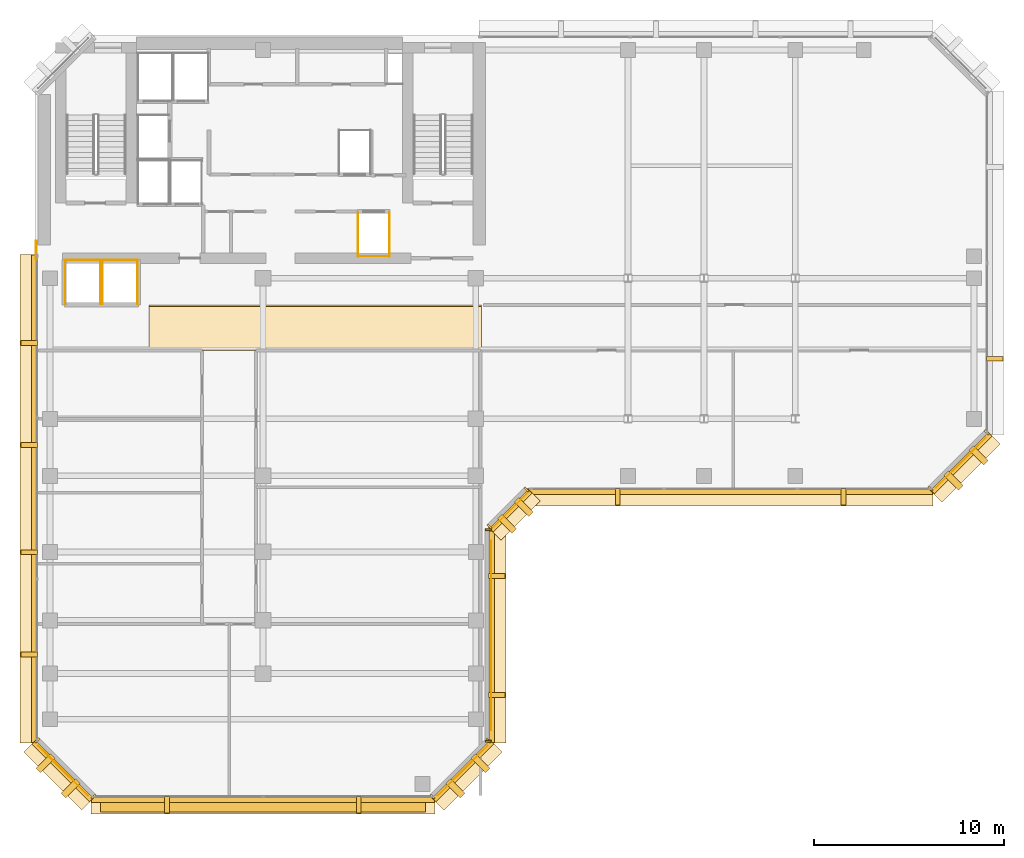
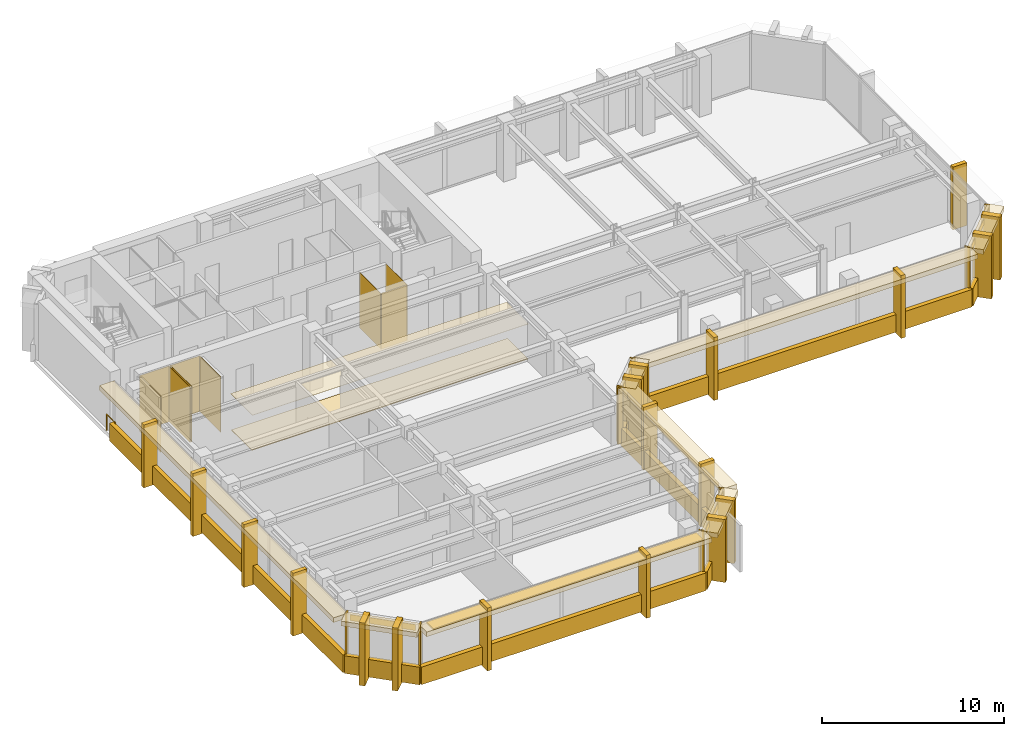
# One storey, part 9 of 12: 61 coverings, 1 railing, 1 shading device.
"""IFC4 building model written with IfcOpenShell, lengths in metres."""

from ifc_helpers import new_model, si_unit, direction, frame, origin, origin_2d, place, context, subcontext, project, spatial, polyline, rectangle, circle, outline, extrude, material, layer, layer_set, type_object, element, save


model = new_model("IFC4")

# Units and contexts
model_context = context("Model", 3, precision=1e-05, world=origin(), true_north=direction((0.0, 1.0)))
body_context = subcontext(model_context, "Body", "Model", "MODEL_VIEW")
ifc_project = project(units=[si_unit("LENGTHUNIT", "METRE"), si_unit("AREAUNIT", "SQUARE_METRE"), si_unit("VOLUMEUNIT", "CUBIC_METRE"), si_unit("PLANEANGLEUNIT", "RADIAN"), si_unit("MASSUNIT", "GRAM", prefix="KILO")], contexts=[model_context])

# Site, building, storey
site_placement = place(None, origin())
site = spatial("IfcSite", under=ifc_project, at=site_placement, CompositionType="ELEMENT")
building_placement = place(site_placement, origin())
building = spatial("IfcBuilding", under=site, at=building_placement, Name="Kefirva Bronze Tower", CompositionType="ELEMENT")
storey_placement = place(building_placement, frame((0.0, 0.0, 268.2900390625)))
storey = spatial("IfcBuildingStorey", under=building, at=storey_placement, Name="L65", CompositionType="ELEMENT", Elevation=268.2900390625)

# Coverings
ifc_material_1 = material(Name="Acoustic mineral tile")
ifc_layer_1 = layer(ifc_material_1, 0.02490234375, Name="Acoustic mineral tile")
ifc_layer_set_1 = layer_set([ifc_layer_1], Name="Acoustic mineral tile")
covering_type_1 = type_object("IfcCoveringType", Name="Acoustic Mineral Suspended Ceiling 25mm", PredefinedType="CEILING", material=ifc_layer_set_1)
covering_1_placement = place(storey_placement, frame((0.0, 0.0, 2.39990234375)))
element("IfcCovering", 1, at=covering_1_placement, inside=storey, type_object=covering_type_1, Name="L65 Corridor Acoustic Ceiling", PredefinedType="CEILING", context=body_context, shape_type="SweptSolid", body=[
    extrude(outline(polyline([(6.0, 29.39990234375), (23.5, 29.39990234375), (23.5, 31.800048828125), (6.0, 31.800048828125), (6.0, 29.39990234375)])), origin(), (0.0, 0.0, 1.0), 0.025146484375),
])
ifc_material_2 = material(Name="Bronze anodised aluminium", Category="aluminium")
ifc_layer_2 = layer(ifc_material_2, 0.02001953125, Name="Bronze anodised aluminium")
ifc_layer_set_2 = layer_set([ifc_layer_2], Name="Bronze anodised aluminium")
covering_type_2 = type_object("IfcCoveringType", Name="Anodised Bronze Spandrel Cladding 20mm", PredefinedType="CLADDING", material=ifc_layer_set_2)
covering_2_placement = place(storey_placement, frame((12.0, 5.760009765625, -0.16015625), z_axis=(0.0, 0.0, 1.0), x_axis=(1.0, 0.0, 0.0)))
element("IfcCovering", 2, at=covering_2_placement, inside=storey, type_object=covering_type_2, Name="L65 Streamline Horizontal Spandrel Band 0", PredefinedType="CLADDING", context=body_context, shape_type="SweptSolid", body=[
    extrude(rectangle(XDim=18.0400390625, YDim=0.280029296875, at=origin_2d()), origin(), (0.0, 0.0, 1.0), 1.179931640625),
])
covering_3_placement = place(storey_placement, frame((22.507080078125, 7.29296875, 3.320068359375), z_axis=(0.0, 0.0, 1.0), x_axis=(0.707106781187, 0.707106781187, 0.0)))
element("IfcCovering", 3, at=covering_3_placement, inside=storey, type_object=covering_type_2, Name="L65 Bronze Spandrel Cladding 1", PredefinedType="CLADDING", context=body_context, shape_type="SweptSolid", body=[
    extrude(rectangle(XDim=3.719482421875, YDim=0.02001953125, at=origin_2d()), origin(), (0.0, 0.0, 1.0), 0.39990234375),
])
for number, where, z_axis, x_axis, name in (
    (4, (20.91162109375, 5.93798828125, 0.0), (0.0, 0.0, 1.0), (0.707106781187, 0.707106781187, 0.0), "L65 Facade Joint Closure Panel 1S"),
    (5, (23.862060546875, 8.88818359375, 0.0), (0.0, 0.0, 1.0), (0.707106781187, 0.707106781187, 0.0), "L65 Facade Joint Closure Panel 1E"),
):
    element("IfcCovering", number, at=place(storey_placement, frame(where, z_axis=z_axis, x_axis=x_axis)), inside=storey, type_object=covering_type_2, Name=name, PredefinedType="CLADDING", context=body_context, shape_type="SweptSolid", body=[
        extrude(rectangle(XDim=0.10009765625, YDim=0.320068359375, at=origin_2d()), origin(), (0.0, 0.0, 1.0), 3.739990234375),
    ])
covering_4_placement = place(storey_placement, frame((22.5283203125, 7.271728515625, -0.16015625), z_axis=(0.0, 0.0, 1.0), x_axis=(0.707106781187, 0.707106781187, 0.0)))
element("IfcCovering", 6, at=covering_4_placement, inside=storey, type_object=covering_type_2, Name="L65 Streamline Horizontal Spandrel Band 1", PredefinedType="CLADDING", context=body_context, shape_type="SweptSolid", body=[
    extrude(rectangle(XDim=4.28271484375, YDim=0.280029296875, at=origin_2d()), origin(), (0.0, 0.0, 1.0), 1.179931640625),
])
covering_5_placement = place(storey_placement, frame((24.010009765625, 14.39990234375, 3.320068359375), z_axis=(0.0, 0.0, 1.0), x_axis=(0.0, 1.0, 0.0)))
element("IfcCovering", 7, at=covering_5_placement, inside=storey, type_object=covering_type_2, Name="L65 Bronze Spandrel Cladding 2", PredefinedType="CLADDING", context=body_context, shape_type="SweptSolid", body=[
    extrude(rectangle(XDim=9.98095703125, YDim=0.02001953125, at=origin_2d()), origin(), (0.0, 0.0, 1.0), 0.39990234375),
])
for number, where, z_axis, x_axis, name in (
    (8, (23.840087890625, 8.8349609375, 0.0), (0.0, 0.0, 1.0), (0.0, 1.0, 0.0), "L65 Facade Joint Closure Panel 2S"),
    (9, (23.840087890625, 19.965087890625, 0.0), (0.0, 0.0, 1.0), (0.0, 1.0, 0.0), "L65 Facade Joint Closure Panel 2E"),
):
    element("IfcCovering", number, at=place(storey_placement, frame(where, z_axis=z_axis, x_axis=x_axis)), inside=storey, type_object=covering_type_2, Name=name, PredefinedType="CLADDING", context=body_context, shape_type="SweptSolid", body=[
        extrude(rectangle(XDim=0.10009765625, YDim=0.320068359375, at=origin_2d()), origin(), (0.0, 0.0, 1.0), 3.739990234375),
    ])
covering_6_placement = place(storey_placement, frame((24.0400390625, 14.39990234375, -0.16015625), z_axis=(0.0, 0.0, 1.0), x_axis=(0.0, 1.0, 0.0)))
element("IfcCovering", 10, at=covering_6_placement, inside=storey, type_object=covering_type_2, Name="L65 Streamline Horizontal Spandrel Band 2", PredefinedType="CLADDING", context=body_context, shape_type="SweptSolid", body=[
    extrude(rectangle(XDim=11.239990234375, YDim=0.280029296875, at=origin_2d()), origin(), (0.0, 0.0, 1.0), 1.179931640625),
])
covering_7_placement = place(storey_placement, frame((25.007080078125, 20.992919921875, 3.320068359375), z_axis=(0.0, 0.0, 1.0), x_axis=(0.707106781187, 0.707106781187, 0.0)))
element("IfcCovering", 11, at=covering_7_placement, inside=storey, type_object=covering_type_2, Name="L65 Bronze Spandrel Cladding 3", PredefinedType="CLADDING", context=body_context, shape_type="SweptSolid", body=[
    extrude(rectangle(XDim=2.446533203125, YDim=0.02001953125, at=origin_2d()), origin(), (0.0, 0.0, 1.0), 0.39990234375),
])
for number, where, z_axis, x_axis, name in (
    (12, (23.91162109375, 20.137939453125, 0.0), (0.0, 0.0, 1.0), (0.707106781187, 0.707106781187, 0.0), "L65 Facade Joint Closure Panel 3S"),
    (13, (25.862060546875, 22.08837890625, 0.0), (0.0, 0.0, 1.0), (0.707106781187, 0.707106781187, 0.0), "L65 Facade Joint Closure Panel 3E"),
):
    element("IfcCovering", number, at=place(storey_placement, frame(where, z_axis=z_axis, x_axis=x_axis)), inside=storey, type_object=covering_type_2, Name=name, PredefinedType="CLADDING", context=body_context, shape_type="SweptSolid", body=[
        extrude(rectangle(XDim=0.10009765625, YDim=0.320068359375, at=origin_2d()), origin(), (0.0, 0.0, 1.0), 3.739990234375),
    ])
covering_8_placement = place(storey_placement, frame((25.0283203125, 20.9716796875, -0.16015625), z_axis=(0.0, 0.0, 1.0), x_axis=(0.707106781187, 0.707106781187, 0.0)))
element("IfcCovering", 14, at=covering_8_placement, inside=storey, type_object=covering_type_2, Name="L65 Streamline Horizontal Spandrel Band 3", PredefinedType="CLADDING", context=body_context, shape_type="SweptSolid", body=[
    extrude(rectangle(XDim=2.868408203125, YDim=0.280029296875, at=origin_2d()), origin(), (0.0, 0.0, 1.0), 1.179931640625),
])
covering_9_placement = place(storey_placement, frame((36.60009765625, 21.9599609375, -0.16015625), z_axis=(0.0, 0.0, 1.0), x_axis=(1.0, 0.0, 0.0)))
element("IfcCovering", 15, at=covering_9_placement, inside=storey, type_object=covering_type_2, Name="L65 Streamline Horizontal Spandrel Band 4", PredefinedType="CLADDING", context=body_context, shape_type="SweptSolid", body=[
    extrude(rectangle(XDim=21.239990234375, YDim=0.280029296875, at=origin_2d()), origin(), (0.0, 0.0, 1.0), 1.179931640625),
])
covering_10_placement = place(storey_placement, frame((48.70703125, 23.492919921875, 3.320068359375), z_axis=(0.0, 0.0, 1.0), x_axis=(0.707106781187, 0.707106781187, 0.0)))
element("IfcCovering", 16, at=covering_10_placement, inside=storey, type_object=covering_type_2, Name="L65 Bronze Spandrel Cladding 4", PredefinedType="CLADDING", context=body_context, shape_type="SweptSolid", body=[
    extrude(rectangle(XDim=3.719482421875, YDim=0.02001953125, at=origin_2d()), origin(), (0.0, 0.0, 1.0), 0.39990234375),
])
for number, where, z_axis, x_axis, name in (
    (17, (47.11181640625, 22.137939453125, 0.0), (0.0, 0.0, 1.0), (0.707106781187, 0.707106781187, 0.0), "L65 Facade Joint Closure Panel 4S"),
    (18, (50.06201171875, 25.08837890625, 0.0), (0.0, 0.0, 1.0), (0.707106781187, 0.707106781187, 0.0), "L65 Facade Joint Closure Panel 4E"),
):
    element("IfcCovering", number, at=place(storey_placement, frame(where, z_axis=z_axis, x_axis=x_axis)), inside=storey, type_object=covering_type_2, Name=name, PredefinedType="CLADDING", context=body_context, shape_type="SweptSolid", body=[
        extrude(rectangle(XDim=0.10009765625, YDim=0.320068359375, at=origin_2d()), origin(), (0.0, 0.0, 1.0), 3.739990234375),
    ])
covering_11_placement = place(storey_placement, frame((48.728271484375, 23.4716796875, -0.16015625), z_axis=(0.0, 0.0, 1.0), x_axis=(0.707106781187, 0.707106781187, 0.0)))
element("IfcCovering", 19, at=covering_11_placement, inside=storey, type_object=covering_type_2, Name="L65 Streamline Horizontal Spandrel Band 5", PredefinedType="CLADDING", context=body_context, shape_type="SweptSolid", body=[
    extrude(rectangle(XDim=4.28271484375, YDim=0.280029296875, at=origin_2d()), origin(), (0.0, 0.0, 1.0), 1.179931640625),
])
covering_12_placement = place(storey_placement, frame((-0.0400390625, 21.597412109375, -0.16015625), z_axis=(0.0, 0.0, 1.0), x_axis=(0.0, -1.0, 0.0)))
element("IfcCovering", 20, at=covering_12_placement, inside=storey, type_object=covering_type_2, Name="L65 Streamline Horizontal Spandrel Band 10", PredefinedType="CLADDING", context=body_context, shape_type="SweptSolid", body=[
    extrude(rectangle(XDim=25.635009765625, YDim=0.280029296875, at=origin_2d()), origin(), (0.0, 0.0, 1.0), 1.179931640625),
])
covering_13_placement = place(storey_placement, frame((1.492919921875, 7.29296875, 3.320068359375), z_axis=(0.0, 0.0, 1.0), x_axis=(0.707106781187, -0.707106781187, 0.0)))
element("IfcCovering", 21, at=covering_13_placement, inside=storey, type_object=covering_type_2, Name="L65 Bronze Spandrel Cladding 7", PredefinedType="CLADDING", context=body_context, shape_type="SweptSolid", body=[
    extrude(rectangle(XDim=3.719482421875, YDim=0.02001953125, at=origin_2d()), origin(), (0.0, 0.0, 1.0), 0.39990234375),
])
for number, where, z_axis, x_axis, name in (
    (22, (0.137939453125, 8.88818359375, 0.0), (0.0, 0.0, 1.0), (0.707106781187, -0.707106781187, 0.0), "L65 Facade Joint Closure Panel 7S"),
    (23, (3.08837890625, 5.93798828125, 0.0), (0.0, 0.0, 1.0), (0.707106781187, -0.707106781187, 0.0), "L65 Facade Joint Closure Panel 7E"),
):
    element("IfcCovering", number, at=place(storey_placement, frame(where, z_axis=z_axis, x_axis=x_axis)), inside=storey, type_object=covering_type_2, Name=name, PredefinedType="CLADDING", context=body_context, shape_type="SweptSolid", body=[
        extrude(rectangle(XDim=0.10009765625, YDim=0.320068359375, at=origin_2d()), origin(), (0.0, 0.0, 1.0), 3.739990234375),
    ])
covering_14_placement = place(storey_placement, frame((1.4716796875, 7.271728515625, -0.16015625), z_axis=(0.0, 0.0, 1.0), x_axis=(0.707106781187, -0.707106781187, 0.0)))
element("IfcCovering", 24, at=covering_14_placement, inside=storey, type_object=covering_type_2, Name="L65 Streamline Horizontal Spandrel Band 11", PredefinedType="CLADDING", context=body_context, shape_type="SweptSolid", body=[
    extrude(rectangle(XDim=4.28271484375, YDim=0.280029296875, at=origin_2d()), origin(), (0.0, 0.0, 1.0), 1.179931640625),
])
covering_15_placement = place(storey_placement, origin())
element("IfcCovering", 25, at=covering_15_placement, inside=storey, type_object=covering_type_2, Name="L65 Lift OB1 Hoistway Liner N", PredefinedType="CLADDING", context=body_context, shape_type="SweptSolid", body=[
    extrude(outline(polyline([(1.580078125, 34.139892578125), (3.469970703125, 34.139892578125), (3.469970703125, 34.159912109375), (1.580078125, 34.159912109375), (1.580078125, 34.139892578125)])), origin(), (0.0, 0.0, 1.0), 3.739990234375),
])
covering_16_placement = place(storey_placement, origin())
element("IfcCovering", 26, at=covering_16_placement, inside=storey, type_object=covering_type_2, Name="L65 Lift OB1 Hoistway Liner W", PredefinedType="CLADDING", context=body_context, shape_type="SweptSolid", body=[
    extrude(outline(polyline([(1.590087890625, 31.830078125), (1.610107421875, 31.830078125), (1.610107421875, 34.169921875), (1.590087890625, 34.169921875), (1.590087890625, 31.830078125)])), origin(), (0.0, 0.0, 1.0), 3.739990234375),
])
covering_17_placement = place(storey_placement, origin())
element("IfcCovering", 27, at=covering_17_placement, inside=storey, type_object=covering_type_2, Name="L65 Lift OB1 Hoistway Liner E", PredefinedType="CLADDING", context=body_context, shape_type="SweptSolid", body=[
    extrude(outline(polyline([(3.43994140625, 31.830078125), (3.4599609375, 31.830078125), (3.4599609375, 34.169921875), (3.43994140625, 34.169921875), (3.43994140625, 31.830078125)])), origin(), (0.0, 0.0, 1.0), 3.739990234375),
])
covering_18_placement = place(storey_placement, origin())
element("IfcCovering", 28, at=covering_18_placement, inside=storey, type_object=covering_type_2, Name="L65 Lift OB2 Hoistway Liner N", PredefinedType="CLADDING", context=body_context, shape_type="SweptSolid", body=[
    extrude(outline(polyline([(3.530029296875, 34.139892578125), (5.419921875, 34.139892578125), (5.419921875, 34.159912109375), (3.530029296875, 34.159912109375), (3.530029296875, 34.139892578125)])), origin(), (0.0, 0.0, 1.0), 3.739990234375),
])
covering_19_placement = place(storey_placement, origin())
element("IfcCovering", 29, at=covering_19_placement, inside=storey, type_object=covering_type_2, Name="L65 Lift OB2 Hoistway Liner W", PredefinedType="CLADDING", context=body_context, shape_type="SweptSolid", body=[
    extrude(outline(polyline([(3.5400390625, 31.830078125), (3.56005859375, 31.830078125), (3.56005859375, 34.169921875), (3.5400390625, 34.169921875), (3.5400390625, 31.830078125)])), origin(), (0.0, 0.0, 1.0), 3.739990234375),
])
covering_20_placement = place(storey_placement, origin())
element("IfcCovering", 30, at=covering_20_placement, inside=storey, type_object=covering_type_2, Name="L65 Lift OB2 Hoistway Liner E", PredefinedType="CLADDING", context=body_context, shape_type="SweptSolid", body=[
    extrude(outline(polyline([(5.389892578125, 31.830078125), (5.409912109375, 31.830078125), (5.409912109375, 34.169921875), (5.389892578125, 34.169921875), (5.389892578125, 31.830078125)])), origin(), (0.0, 0.0, 1.0), 3.739990234375),
])
covering_21_placement = place(storey_placement, origin())
element("IfcCovering", 31, at=covering_21_placement, inside=storey, type_object=covering_type_2, Name="L65 Lift HP1 Hoistway Liner S", PredefinedType="CLADDING", context=body_context, shape_type="SweptSolid", body=[
    extrude(outline(polyline([(16.97998046875, 34.340087890625), (18.669921875, 34.340087890625), (18.669921875, 34.360107421875), (16.97998046875, 34.360107421875), (16.97998046875, 34.340087890625)])), origin(), (0.0, 0.0, 1.0), 3.739990234375),
])
covering_22_placement = place(storey_placement, origin())
element("IfcCovering", 32, at=covering_22_placement, inside=storey, type_object=covering_type_2, Name="L65 Lift HP1 Hoistway Liner W", PredefinedType="CLADDING", context=body_context, shape_type="SweptSolid", body=[
    extrude(outline(polyline([(16.989990234375, 34.330078125), (17.010009765625, 34.330078125), (17.010009765625, 36.669921875), (16.989990234375, 36.669921875), (16.989990234375, 34.330078125)])), origin(), (0.0, 0.0, 1.0), 3.739990234375),
])
covering_23_placement = place(storey_placement, origin())
element("IfcCovering", 33, at=covering_23_placement, inside=storey, type_object=covering_type_2, Name="L65 Lift HP1 Hoistway Liner E", PredefinedType="CLADDING", context=body_context, shape_type="SweptSolid", body=[
    extrude(outline(polyline([(18.639892578125, 34.330078125), (18.659912109375, 34.330078125), (18.659912109375, 36.669921875), (18.639892578125, 36.669921875), (18.639892578125, 34.330078125)])), origin(), (0.0, 0.0, 1.0), 3.739990234375),
])

# Shading device
ifc_layer_3 = layer(ifc_material_2, 0.090087890625, Name="Bronze anodised aluminium")
ifc_layer_set_3 = layer_set([ifc_layer_3], Name="Bronze anodised aluminium")
shading_device_type = type_object("IfcShadingDeviceType", Name="Horizontal Bronze Sunshade Band 750mm", PredefinedType="JALOUSIE", material=ifc_layer_set_3)
shading_device_placement = place(storey_placement, frame((12.0, 5.5048828125, 3.634765625), z_axis=(0.0, 0.0, 1.0), x_axis=(1.0, 0.0, 0.0)))
element("IfcShadingDevice", 34, at=shading_device_placement, inside=storey, type_object=shading_device_type, Name="L65 Horizontal Bronze Sunshade Band 0", PredefinedType="JALOUSIE", context=body_context, shape_type="SweptSolid", body=[
    extrude(rectangle(XDim=17.090087890625, YDim=0.75, at=origin_2d()), origin(), (0.0, 0.0, 1.0), 0.090087890625),
])

# Railing
ifc_material_3 = material(Name="Stainless steel 316", Category="steel")
railing_type = type_object("IfcRailingType", Name="Interior Stair Guardrail 1100mm", PredefinedType="GUARDRAIL", material=ifc_material_3)
railing_placement = place(storey_placement, frame((0.080078125, 34.199951171875, 0.0)))
element("IfcRailing", 35, at=railing_placement, inside=storey, type_object=railing_type, Name="L65 West Core Junction Guardrail", PredefinedType="GUARDRAIL", context=body_context, shape_type="SweptSolid", body=[
    extrude(circle(Radius=0.02392578125, at=origin_2d()), frame((0.0, 0.0, 1.076171875), z_axis=(0.0, 1.0, 0.0), x_axis=(-1.0, 0.0, 0.0)), (0.0, 0.0, 1.0), 0.949951171875),
    extrude(circle(Radius=0.02099609375, at=origin_2d()), origin(), (0.0, 0.0, 1.0), 1.052001953125),
    extrude(circle(Radius=0.02099609375, at=origin_2d()), frame((0.0, 0.949951171875, 0.0)), (0.0, 0.0, 1.0), 1.052001953125),
])

# Coverings
ifc_material_4 = material(Name="Calcium sulphate access tile")
ifc_layer_4 = layer(ifc_material_4, 0.044921875, Name="Calcium sulphate access tile")
ifc_layer_set_4 = layer_set([ifc_layer_4], Name="Calcium sulphate access tile")
covering_type_3 = type_object("IfcCoveringType", Name="Raised Access Office Flooring 45mm", PredefinedType="FLOORING", material=ifc_layer_set_4)
covering_24_placement = place(storey_placement, origin())
element("IfcCovering", 36, at=covering_24_placement, inside=storey, type_object=covering_type_3, Name="L65 Architectural Finish Flooring", PredefinedType="FLOORING", context=body_context, shape_type="SweptSolid", body=[
    extrude(outline(polyline([(6.0, 29.47998046875), (23.5, 29.47998046875), (23.5, 31.719970703125), (6.0, 31.719970703125), (6.0, 29.47998046875)])), origin(), (0.0, 0.0, 1.0), 0.044921875),
])
ifc_layer_5 = layer(ifc_material_2, 0.179931640625, Name="Bronze anodised aluminium")
ifc_layer_set_5 = layer_set([ifc_layer_5], Name="Bronze anodised aluminium")
covering_type_4 = type_object("IfcCoveringType", Name="Streamline Bronze Sunshade Eyebrow Cladding 180mm", PredefinedType="CLADDING", material=ifc_layer_set_5)
covering_25_placement = place(storey_placement, frame((12.0, 5.489990234375, 3.419921875), z_axis=(0.0, 0.0, 1.0), x_axis=(1.0, 0.0, 0.0)))
element("IfcCovering", 37, at=covering_25_placement, inside=storey, type_object=covering_type_4, Name="L65 Streamline Bronze Sunshade Eyebrow 0", PredefinedType="CLADDING", context=body_context, shape_type="SweptSolid", body=[
    extrude(rectangle(XDim=18.080078125, YDim=0.93994140625, at=origin_2d()), origin(), (0.0, 0.0, 1.0), 0.320068359375),
])
covering_26_placement = place(storey_placement, frame((22.71923828125, 7.080810546875, 3.419921875), z_axis=(0.0, 0.0, 1.0), x_axis=(0.707106781187, 0.707106781187, 0.0)))
element("IfcCovering", 38, at=covering_26_placement, inside=storey, type_object=covering_type_4, Name="L65 Streamline Bronze Sunshade Eyebrow 1", PredefinedType="CLADDING", context=body_context, shape_type="SweptSolid", body=[
    extrude(rectangle(XDim=4.322509765625, YDim=0.93994140625, at=origin_2d()), origin(), (0.0, 0.0, 1.0), 0.320068359375),
])
covering_27_placement = place(storey_placement, frame((24.31005859375, 14.39990234375, 3.419921875), z_axis=(0.0, 0.0, 1.0), x_axis=(0.0, 1.0, 0.0)))
element("IfcCovering", 39, at=covering_27_placement, inside=storey, type_object=covering_type_4, Name="L65 Streamline Bronze Sunshade Eyebrow 2", PredefinedType="CLADDING", context=body_context, shape_type="SweptSolid", body=[
    extrude(rectangle(XDim=11.280029296875, YDim=0.93994140625, at=origin_2d()), origin(), (0.0, 0.0, 1.0), 0.320068359375),
])
covering_28_placement = place(storey_placement, frame((25.21923828125, 20.78076171875, 3.419921875), z_axis=(0.0, 0.0, 1.0), x_axis=(0.707106781187, 0.707106781187, 0.0)))
element("IfcCovering", 40, at=covering_28_placement, inside=storey, type_object=covering_type_4, Name="L65 Streamline Bronze Sunshade Eyebrow 3", PredefinedType="CLADDING", context=body_context, shape_type="SweptSolid", body=[
    extrude(rectangle(XDim=2.908447265625, YDim=0.93994140625, at=origin_2d()), origin(), (0.0, 0.0, 1.0), 0.320068359375),
])
covering_29_placement = place(storey_placement, frame((36.60009765625, 21.68994140625, 3.419921875), z_axis=(0.0, 0.0, 1.0), x_axis=(1.0, 0.0, 0.0)))
element("IfcCovering", 41, at=covering_29_placement, inside=storey, type_object=covering_type_4, Name="L65 Streamline Bronze Sunshade Eyebrow 4", PredefinedType="CLADDING", context=body_context, shape_type="SweptSolid", body=[
    extrude(rectangle(XDim=21.280029296875, YDim=0.93994140625, at=origin_2d()), origin(), (0.0, 0.0, 1.0), 0.320068359375),
])
covering_30_placement = place(storey_placement, frame((48.919189453125, 23.28076171875, 3.419921875), z_axis=(0.0, 0.0, 1.0), x_axis=(0.707106781187, 0.707106781187, 0.0)))
element("IfcCovering", 42, at=covering_30_placement, inside=storey, type_object=covering_type_4, Name="L65 Streamline Bronze Sunshade Eyebrow 5", PredefinedType="CLADDING", context=body_context, shape_type="SweptSolid", body=[
    extrude(rectangle(XDim=4.322509765625, YDim=0.93994140625, at=origin_2d()), origin(), (0.0, 0.0, 1.0), 0.320068359375),
])
covering_31_placement = place(storey_placement, frame((-0.31005859375, 21.597412109375, 3.419921875), z_axis=(0.0, 0.0, 1.0), x_axis=(0.0, -1.0, 0.0)))
element("IfcCovering", 43, at=covering_31_placement, inside=storey, type_object=covering_type_4, Name="L65 Streamline Bronze Sunshade Eyebrow 10", PredefinedType="CLADDING", context=body_context, shape_type="SweptSolid", body=[
    extrude(rectangle(XDim=25.675048828125, YDim=0.93994140625, at=origin_2d()), origin(), (0.0, 0.0, 1.0), 0.320068359375),
])
covering_32_placement = place(storey_placement, frame((1.28076171875, 7.080810546875, 3.419921875), z_axis=(0.0, 0.0, 1.0), x_axis=(0.707106781187, -0.707106781187, 0.0)))
element("IfcCovering", 44, at=covering_32_placement, inside=storey, type_object=covering_type_4, Name="L65 Streamline Bronze Sunshade Eyebrow 11", PredefinedType="CLADDING", context=body_context, shape_type="SweptSolid", body=[
    extrude(rectangle(XDim=4.322509765625, YDim=0.93994140625, at=origin_2d()), origin(), (0.0, 0.0, 1.0), 0.320068359375),
])
ifc_layer_6 = layer(ifc_material_2, 0.260009765625, Name="Bronze anodised aluminium")
ifc_layer_set_6 = layer_set([ifc_layer_6], Name="Bronze anodised aluminium")
covering_type_5 = type_object("IfcCoveringType", Name="Unbroken Bronze Buttress Fin Cladding 260mm", PredefinedType="CLADDING", material=ifc_layer_set_6)
for number, where, z_axis, x_axis, name in (
    (45, (6.9599609375, 5.5, -0.25), (0.0, 0.0, 1.0), (1.0, 0.0, 0.0), "L65 Unbroken Vertical Bronze Rib Fin 1"),
    (46, (17.0400390625, 5.5, -0.25), (0.0, 0.0, 1.0), (1.0, 0.0, 0.0), "L65 Unbroken Vertical Bronze Rib Fin 2"),
):
    element("IfcCovering", number, at=place(storey_placement, frame(where, z_axis=z_axis, x_axis=x_axis)), inside=storey, type_object=covering_type_5, Name=name, PredefinedType="CLADDING", context=body_context, shape_type="SweptSolid", body=[
        extrude(rectangle(XDim=0.260009765625, YDim=0.8798828125, at=origin_2d()), origin(), (0.0, 0.0, 1.0), 4.2099609375),
    ])
for number, where, z_axis, x_axis, name in (
    (47, (22.122802734375, 6.357177734375, -0.25), (0.0, 0.0, 1.0), (0.707106781187, 0.707106781187, 0.0), "L65 Chamfered Corner Buttress Fin Cladding 3"),
    (48, (23.44287109375, 7.67724609375, -0.25), (0.0, 0.0, 1.0), (0.707106781187, 0.707106781187, 0.0), "L65 Chamfered Corner Buttress Fin Cladding 4"),
):
    element("IfcCovering", number, at=place(storey_placement, frame(where, z_axis=z_axis, x_axis=x_axis)), inside=storey, type_object=covering_type_5, Name=name, PredefinedType="CLADDING", context=body_context, shape_type="SweptSolid", body=[
        extrude(rectangle(XDim=0.340087890625, YDim=1.080078125, at=origin_2d()), origin(), (0.0, 0.0, 1.0), 4.2099609375),
    ])
for number, where, z_axis, x_axis, name in (
    (49, (24.300048828125, 11.263916015625, -0.25), (0.0, 0.0, 1.0), (0.0, 1.0, 0.0), "L65 Unbroken Vertical Bronze Rib Fin 5"),
    (50, (24.300048828125, 17.535888671875, -0.25), (0.0, 0.0, 1.0), (0.0, 1.0, 0.0), "L65 Unbroken Vertical Bronze Rib Fin 6"),
):
    element("IfcCovering", number, at=place(storey_placement, frame(where, z_axis=z_axis, x_axis=x_axis)), inside=storey, type_object=covering_type_5, Name=name, PredefinedType="CLADDING", context=body_context, shape_type="SweptSolid", body=[
        extrude(rectangle(XDim=0.260009765625, YDim=0.8798828125, at=origin_2d()), origin(), (0.0, 0.0, 1.0), 4.2099609375),
    ])
for number, where, z_axis, x_axis, name in (
    (51, (24.8427734375, 20.277099609375, -0.25), (0.0, 0.0, 1.0), (0.707106781187, 0.707106781187, 0.0), "L65 Chamfered Corner Buttress Fin Cladding 7"),
    (52, (25.722900390625, 21.1572265625, -0.25), (0.0, 0.0, 1.0), (0.707106781187, 0.707106781187, 0.0), "L65 Chamfered Corner Buttress Fin Cladding 8"),
):
    element("IfcCovering", number, at=place(storey_placement, frame(where, z_axis=z_axis, x_axis=x_axis)), inside=storey, type_object=covering_type_5, Name=name, PredefinedType="CLADDING", context=body_context, shape_type="SweptSolid", body=[
        extrude(rectangle(XDim=0.340087890625, YDim=1.080078125, at=origin_2d()), origin(), (0.0, 0.0, 1.0), 4.2099609375),
    ])
for number, where, z_axis, x_axis, name in (
    (53, (30.6640625, 21.699951171875, -0.25), (0.0, 0.0, 1.0), (1.0, 0.0, 0.0), "L65 Unbroken Vertical Bronze Rib Fin 9"),
    (54, (42.535888671875, 21.699951171875, -0.25), (0.0, 0.0, 1.0), (1.0, 0.0, 0.0), "L65 Unbroken Vertical Bronze Rib Fin 10"),
):
    element("IfcCovering", number, at=place(storey_placement, frame(where, z_axis=z_axis, x_axis=x_axis)), inside=storey, type_object=covering_type_5, Name=name, PredefinedType="CLADDING", context=body_context, shape_type="SweptSolid", body=[
        extrude(rectangle(XDim=0.260009765625, YDim=0.8798828125, at=origin_2d()), origin(), (0.0, 0.0, 1.0), 4.2099609375),
    ])
for number, where, z_axis, x_axis, name in (
    (55, (48.32275390625, 22.55712890625, -0.25), (0.0, 0.0, 1.0), (0.707106781187, 0.707106781187, 0.0), "L65 Chamfered Corner Buttress Fin Cladding 11"),
    (56, (49.642822265625, 23.877197265625, -0.25), (0.0, 0.0, 1.0), (0.707106781187, 0.707106781187, 0.0), "L65 Chamfered Corner Buttress Fin Cladding 12"),
):
    element("IfcCovering", number, at=place(storey_placement, frame(where, z_axis=z_axis, x_axis=x_axis)), inside=storey, type_object=covering_type_5, Name=name, PredefinedType="CLADDING", context=body_context, shape_type="SweptSolid", body=[
        extrude(rectangle(XDim=0.340087890625, YDim=1.080078125, at=origin_2d()), origin(), (0.0, 0.0, 1.0), 4.2099609375),
    ])
for number, where, z_axis, x_axis, name in (
    (57, (50.5, 28.9599609375, -0.25), (0.0, 0.0, 1.0), (0.0, 1.0, 0.0), "L65 Unbroken Vertical Bronze Rib Fin 13"),
    (58, (-0.300048828125, 29.787841796875, -0.25), (0.0, 0.0, 1.0), (0.0, -1.0, 0.0), "L65 Unbroken Vertical Bronze Rib Fin 23"),
    (59, (-0.300048828125, 24.4130859375, -0.25), (0.0, 0.0, 1.0), (0.0, -1.0, 0.0), "L65 Unbroken Vertical Bronze Rib Fin 24"),
    (60, (-0.300048828125, 18.781982421875, -0.25), (0.0, 0.0, 1.0), (0.0, -1.0, 0.0), "L65 Unbroken Vertical Bronze Rib Fin 25"),
    (61, (-0.300048828125, 13.406982421875, -0.25), (0.0, 0.0, 1.0), (0.0, -1.0, 0.0), "L65 Unbroken Vertical Bronze Rib Fin 26"),
):
    element("IfcCovering", number, at=place(storey_placement, frame(where, z_axis=z_axis, x_axis=x_axis)), inside=storey, type_object=covering_type_5, Name=name, PredefinedType="CLADDING", context=body_context, shape_type="SweptSolid", body=[
        extrude(rectangle(XDim=0.260009765625, YDim=0.8798828125, at=origin_2d()), origin(), (0.0, 0.0, 1.0), 4.2099609375),
    ])
for number, where, z_axis, x_axis, name in (
    (62, (0.55712890625, 7.67724609375, -0.25), (0.0, 0.0, 1.0), (0.707106781187, -0.707106781187, 0.0), "L65 Chamfered Corner Buttress Fin Cladding 27"),
    (63, (1.877197265625, 6.357177734375, -0.25), (0.0, 0.0, 1.0), (0.707106781187, -0.707106781187, 0.0), "L65 Chamfered Corner Buttress Fin Cladding 28"),
):
    element("IfcCovering", number, at=place(storey_placement, frame(where, z_axis=z_axis, x_axis=x_axis)), inside=storey, type_object=covering_type_5, Name=name, PredefinedType="CLADDING", context=body_context, shape_type="SweptSolid", body=[
        extrude(rectangle(XDim=0.340087890625, YDim=1.080078125, at=origin_2d()), origin(), (0.0, 0.0, 1.0), 4.2099609375),
    ])

save(model, "model.ifc")
